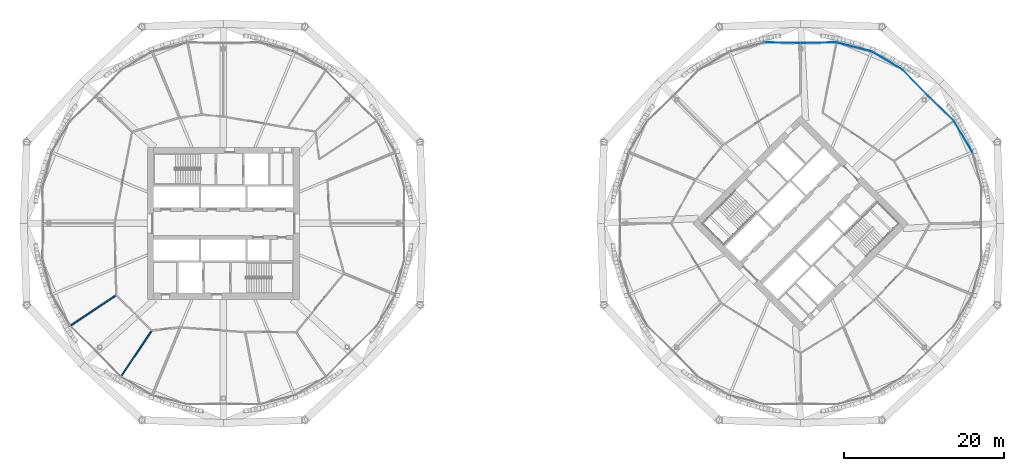
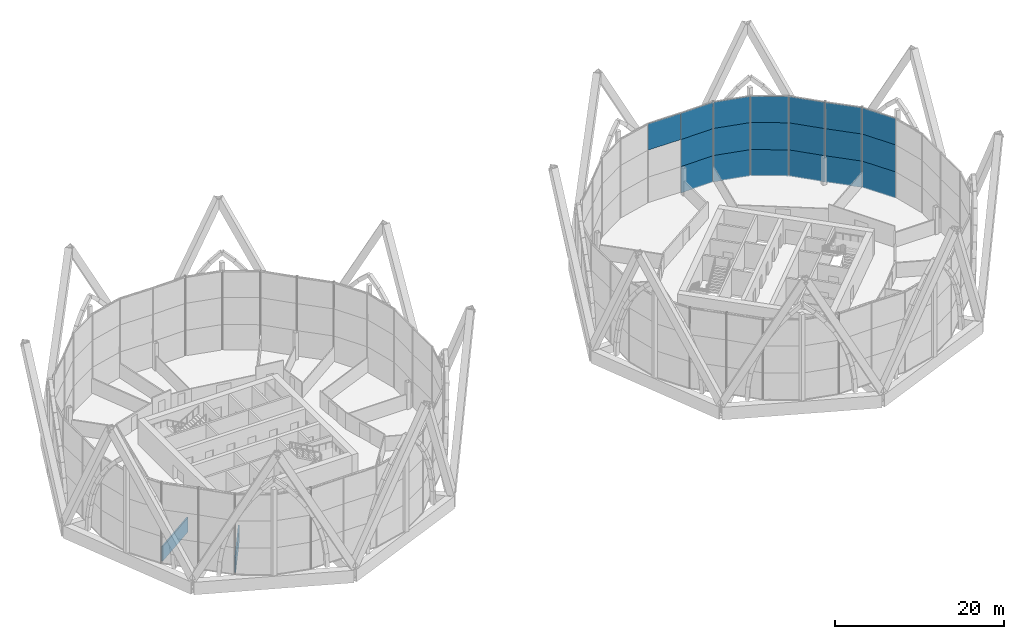
# One storey, part 27 of 37: 19 plates, 2 walls, 3 elements without a shape of their own.
"""IFC4 building model written with IfcOpenShell, lengths in metres."""

from ifc_helpers import new_model, si_unit, direction, frame, frame_2d, origin, origin_2d, place, context, subcontext, project, spatial, rectangle, extrude, material, layer, layer_set, type_object, element, aggregate, save


model = new_model("IFC4")

# Units and contexts
model_context = context("Model", 3, precision=1e-05, world=origin(), true_north=direction((0.0, 1.0)))
body_context = subcontext(model_context, "Body", "Model", "MODEL_VIEW")
ifc_project = project(units=[si_unit("LENGTHUNIT", "METRE"), si_unit("AREAUNIT", "SQUARE_METRE"), si_unit("VOLUMEUNIT", "CUBIC_METRE"), si_unit("PLANEANGLEUNIT", "RADIAN"), si_unit("MASSUNIT", "GRAM", prefix="KILO")], contexts=[model_context])

# Site, building, storey
site_placement = place(None, origin())
site = spatial("IfcSite", under=ifc_project, at=site_placement, CompositionType="ELEMENT")
building_placement = place(site_placement, origin())
building = spatial("IfcBuilding", under=site, at=building_placement, Name="Ogive Gate Towers", CompositionType="ELEMENT")
storey_placement = place(building_placement, frame((0.0, 0.0, 32.39990234375)))
storey = spatial("IfcBuildingStorey", under=building, at=storey_placement, Name="L06", CompositionType="ELEMENT", Elevation=32.39990234375)

# Curtain wall, plates
ifc_material_1 = material(Name="Pale metal aluminium", Category="aluminium")
curtain_wall_type = type_object("IfcCurtainWallType", Name="Tower unitised wall, low zone", PredefinedType="NOTDEFINED", material=ifc_material_1)
curtain_wall_1_placement = place(storey_placement, origin())
curtain_wall_1 = element("IfcCurtainWall", 1, at=curtain_wall_1_placement, inside=storey, type_object=curtain_wall_type, Name="CW1 T2 ECW01", PredefinedType="NOTDEFINED")
ifc_material_2 = material(Name="Clear glass", Category="glass")
ifc_layer_1 = layer(ifc_material_2, 0.028076171875)
ifc_layer_set_1 = layer_set([ifc_layer_1], Name="Tower unitised wall, low zone glass panel")
plate_type = type_object("IfcPlateType", Name="Tower unitised wall, low zone glass panel", PredefinedType="CURTAIN_PANEL", material=ifc_layer_set_1)
plate_1_placement = place(storey_placement, frame((56.2861328125, 10.836669921875, -0.2041015625), z_axis=(0.0, 0.0, 1.0), x_axis=(-0.509822390682, 0.860279681243, 0.0)))
plate_1 = element("IfcPlate", 2, at=plate_1_placement, type_object=plate_type, Name="CW1 glass panel", PredefinedType="CURTAIN_PANEL", context=body_context, shape_type="SweptSolid", body=[
    extrude(rectangle(XDim=4.48095703125, YDim=0.028076171875, at=origin_2d()), origin(), (0.0, 0.0, 1.0), 3.803955078125),
])
plate_2_placement = place(storey_placement, frame((56.2861328125, 10.836669921875, 3.60009765625), z_axis=(0.0, 0.0, 1.0), x_axis=(-0.509822390682, 0.860279681243, 0.0)))
plate_2 = element("IfcPlate", 3, at=plate_2_placement, type_object=plate_type, Name="CW1 glass panel", PredefinedType="CURTAIN_PANEL", context=body_context, shape_type="SweptSolid", body=[
    extrude(rectangle(XDim=4.48095703125, YDim=0.028076171875, at=origin_2d()), origin(), (0.0, 0.0, 1.0), 3.89990234375),
])
plate_3_placement = place(storey_placement, frame((56.2861328125, 10.836669921875, 7.5), z_axis=(0.0, 0.0, 1.0), x_axis=(-0.509822390682, 0.860279681243, 0.0)))
plate_3 = element("IfcPlate", 4, at=plate_3_placement, type_object=plate_type, Name="CW1 glass panel", PredefinedType="CURTAIN_PANEL", context=body_context, shape_type="SweptSolid", body=[
    extrude(rectangle(XDim=4.48095703125, YDim=0.028076171875, at=origin_2d()), origin(), (0.0, 0.0, 1.0), 3.803955078125),
])
plate_4_placement = place(storey_placement, frame((53.521240234375, 14.35498046875, -0.2041015625), z_axis=(0.0, 0.0, 1.0), x_axis=(-0.716496775349, 0.697590403399, 0.0)))
plate_4 = element("IfcPlate", 5, at=plate_4_placement, type_object=plate_type, Name="CW1 glass panel", PredefinedType="CURTAIN_PANEL", context=body_context, shape_type="SweptSolid", body=[
    extrude(rectangle(XDim=4.424072265625, YDim=0.028076171875, at=origin_2d()), origin(), (0.0, 0.0, 1.0), 3.803955078125),
])
plate_5_placement = place(storey_placement, frame((53.521240234375, 14.35498046875, 3.60009765625), z_axis=(0.0, 0.0, 1.0), x_axis=(-0.716496775349, 0.697590403399, 0.0)))
plate_5 = element("IfcPlate", 6, at=plate_5_placement, type_object=plate_type, Name="CW1 glass panel", PredefinedType="CURTAIN_PANEL", context=body_context, shape_type="SweptSolid", body=[
    extrude(rectangle(XDim=4.424072265625, YDim=0.028076171875, at=origin_2d()), origin(), (0.0, 0.0, 1.0), 3.89990234375),
])
plate_6_placement = place(storey_placement, frame((53.521240234375, 14.35498046875, 7.5), z_axis=(0.0, 0.0, 1.0), x_axis=(-0.716496775349, 0.697590403399, 0.0)))
plate_6 = element("IfcPlate", 7, at=plate_6_placement, type_object=plate_type, Name="CW1 glass panel", PredefinedType="CURTAIN_PANEL", context=body_context, shape_type="SweptSolid", body=[
    extrude(rectangle(XDim=4.424072265625, YDim=0.028076171875, at=origin_2d()), origin(), (0.0, 0.0, 1.0), 3.803955078125),
])
aggregate(curtain_wall_1, [plate_1, plate_2, plate_3, plate_4, plate_5, plate_6])

curtain_wall_2_placement = place(storey_placement, origin())
curtain_wall_2 = element("IfcCurtainWall", 8, at=curtain_wall_2_placement, inside=storey, type_object=curtain_wall_type, Name="CW1 T2 ECW02", PredefinedType="NOTDEFINED")
plate_7_placement = place(storey_placement, frame((50.35498046875, 17.521240234375, -0.2041015625), z_axis=(0.0, 0.0, 1.0), x_axis=(-0.697590403399, 0.716496775349, 0.0)))
plate_7 = element("IfcPlate", 9, at=plate_7_placement, type_object=plate_type, Name="CW1 glass panel", PredefinedType="CURTAIN_PANEL", context=body_context, shape_type="SweptSolid", body=[
    extrude(rectangle(XDim=4.424072265625, YDim=0.028076171875, at=origin_2d()), origin(), (0.0, 0.0, 1.0), 3.803955078125),
])
plate_8_placement = place(storey_placement, frame((50.35498046875, 17.521240234375, 3.60009765625), z_axis=(0.0, 0.0, 1.0), x_axis=(-0.697590403399, 0.716496775349, 0.0)))
plate_8 = element("IfcPlate", 10, at=plate_8_placement, type_object=plate_type, Name="CW1 glass panel", PredefinedType="CURTAIN_PANEL", context=body_context, shape_type="SweptSolid", body=[
    extrude(rectangle(XDim=4.424072265625, YDim=0.028076171875, at=origin_2d()), origin(), (0.0, 0.0, 1.0), 3.89990234375),
])
plate_9_placement = place(storey_placement, frame((50.35498046875, 17.521240234375, 7.5), z_axis=(0.0, 0.0, 1.0), x_axis=(-0.697590403399, 0.716496775349, 0.0)))
plate_9 = element("IfcPlate", 11, at=plate_9_placement, type_object=plate_type, Name="CW1 glass panel", PredefinedType="CURTAIN_PANEL", context=body_context, shape_type="SweptSolid", body=[
    extrude(rectangle(XDim=4.424072265625, YDim=0.028076171875, at=origin_2d()), origin(), (0.0, 0.0, 1.0), 3.803955078125),
])
plate_10_placement = place(storey_placement, frame((46.836669921875, 20.2861328125, -0.2041015625), z_axis=(0.0, 0.0, 1.0), x_axis=(-0.860279681243, 0.509822390682, 0.0)))
plate_10 = element("IfcPlate", 12, at=plate_10_placement, type_object=plate_type, Name="CW1 glass panel", PredefinedType="CURTAIN_PANEL", context=body_context, shape_type="SweptSolid", body=[
    extrude(rectangle(XDim=4.48095703125, YDim=0.028076171875, at=origin_2d()), origin(), (0.0, 0.0, 1.0), 3.803955078125),
])
plate_11_placement = place(storey_placement, frame((46.836669921875, 20.2861328125, 3.60009765625), z_axis=(0.0, 0.0, 1.0), x_axis=(-0.860279681243, 0.509822390682, 0.0)))
plate_11 = element("IfcPlate", 13, at=plate_11_placement, type_object=plate_type, Name="CW1 glass panel", PredefinedType="CURTAIN_PANEL", context=body_context, shape_type="SweptSolid", body=[
    extrude(rectangle(XDim=4.48095703125, YDim=0.028076171875, at=origin_2d()), origin(), (0.0, 0.0, 1.0), 3.89990234375),
])
plate_12_placement = place(storey_placement, frame((46.836669921875, 20.2861328125, 7.5), z_axis=(0.0, 0.0, 1.0), x_axis=(-0.860279681243, 0.509822390682, 0.0)))
plate_12 = element("IfcPlate", 14, at=plate_12_placement, type_object=plate_type, Name="CW1 glass panel", PredefinedType="CURTAIN_PANEL", context=body_context, shape_type="SweptSolid", body=[
    extrude(rectangle(XDim=4.48095703125, YDim=0.028076171875, at=origin_2d()), origin(), (0.0, 0.0, 1.0), 3.803955078125),
])
plate_13_placement = place(storey_placement, frame((42.681884765625, 22.007080078125, -0.2041015625), z_axis=(0.0, 0.0, 1.0), x_axis=(-0.968804140715, 0.247827635532, 0.0)))
plate_13 = element("IfcPlate", 15, at=plate_13_placement, type_object=plate_type, Name="CW1 glass panel", PredefinedType="CURTAIN_PANEL", context=body_context, shape_type="SweptSolid", body=[
    extrude(rectangle(XDim=4.48095703125, YDim=0.028076171875, at=origin_2d()), origin(), (0.0, 0.0, 1.0), 3.803955078125),
])
plate_14_placement = place(storey_placement, frame((42.681884765625, 22.007080078125, 3.60009765625), z_axis=(0.0, 0.0, 1.0), x_axis=(-0.968804140715, 0.247827635532, 0.0)))
plate_14 = element("IfcPlate", 16, at=plate_14_placement, type_object=plate_type, Name="CW1 glass panel", PredefinedType="CURTAIN_PANEL", context=body_context, shape_type="SweptSolid", body=[
    extrude(rectangle(XDim=4.48095703125, YDim=0.028076171875, at=origin_2d()), origin(), (0.0, 0.0, 1.0), 3.89990234375),
])
plate_15_placement = place(storey_placement, frame((42.681884765625, 22.007080078125, 7.5), z_axis=(0.0, 0.0, 1.0), x_axis=(-0.968804140715, 0.247827635532, 0.0)))
plate_15 = element("IfcPlate", 17, at=plate_15_placement, type_object=plate_type, Name="CW1 glass panel", PredefinedType="CURTAIN_PANEL", context=body_context, shape_type="SweptSolid", body=[
    extrude(rectangle(XDim=4.48095703125, YDim=0.028076171875, at=origin_2d()), origin(), (0.0, 0.0, 1.0), 3.803955078125),
])
plate_16_placement = place(storey_placement, frame((38.23876953125, 22.5400390625, -0.2041015625), z_axis=(0.0, 0.0, 1.0), x_axis=(-0.999910399799, -0.013386275544, 0.0)))
plate_16 = element("IfcPlate", 18, at=plate_16_placement, type_object=plate_type, Name="CW1 glass panel", PredefinedType="CURTAIN_PANEL", context=body_context, shape_type="SweptSolid", body=[
    extrude(rectangle(XDim=4.423828125, YDim=0.028076171875, at=origin_2d()), origin(), (0.0, 0.0, 1.0), 3.803955078125),
])
plate_17_placement = place(storey_placement, frame((38.23876953125, 22.5400390625, 3.60009765625), z_axis=(0.0, 0.0, 1.0), x_axis=(-0.999910399799, -0.013386275544, 0.0)))
plate_17 = element("IfcPlate", 19, at=plate_17_placement, type_object=plate_type, Name="CW1 glass panel", PredefinedType="CURTAIN_PANEL", context=body_context, shape_type="SweptSolid", body=[
    extrude(rectangle(XDim=4.423828125, YDim=0.028076171875, at=origin_2d()), origin(), (0.0, 0.0, 1.0), 3.89990234375),
])
plate_18_placement = place(storey_placement, frame((38.23876953125, 22.5400390625, 7.5), z_axis=(0.0, 0.0, 1.0), x_axis=(-0.999910399799, -0.013386275544, 0.0)))
plate_18 = element("IfcPlate", 20, at=plate_18_placement, type_object=plate_type, Name="CW1 glass panel", PredefinedType="CURTAIN_PANEL", context=body_context, shape_type="SweptSolid", body=[
    extrude(rectangle(XDim=4.423828125, YDim=0.028076171875, at=origin_2d()), origin(), (0.0, 0.0, 1.0), 3.803955078125),
])
aggregate(curtain_wall_2, [plate_7, plate_8, plate_9, plate_10, plate_11, plate_12, plate_13, plate_14, plate_15, plate_16, plate_17, plate_18])

# Curtain wall, plate
curtain_wall_3_placement = place(storey_placement, origin())
curtain_wall_3 = element("IfcCurtainWall", 21, at=curtain_wall_3_placement, inside=storey, type_object=curtain_wall_type, Name="CW1 T2 ECW03", PredefinedType="NOTDEFINED")
plate_19_placement = place(storey_placement, frame((33.76123046875, 22.5400390625, 7.5), z_axis=(0.0, 0.0, 1.0), x_axis=(-0.999910399799, 0.013386275544, 0.0)))
plate_19 = element("IfcPlate", 22, at=plate_19_placement, type_object=plate_type, Name="CW1 glass panel", PredefinedType="CURTAIN_PANEL", context=body_context, shape_type="SweptSolid", body=[
    extrude(rectangle(XDim=4.423828125, YDim=0.028076171875, at=origin_2d()), origin(), (0.0, 0.0, 1.0), 3.803955078125),
])
aggregate(curtain_wall_3, [plate_19])

# Walls
ifc_material_3 = material(Name="Gypsum board acoustic partition")
ifc_layer_2 = layer(ifc_material_3, 0.175048828125)
ifc_layer_set_2 = layer_set([ifc_layer_2], Name="Acoustic partition 175")
wall_type = type_object("IfcWallType", Name="Acoustic partition 175", PredefinedType="PARTITIONING", material=ifc_layer_set_2)
for number, where, z_axis, x_axis, name in (
    (23, (-55.044189453125, -12.734375, 0.0), (0.0, 0.0, 1.0), (0.831275043359, 0.555861315697, 0.0), "Partition T1-L06-011"),
    (24, (-48.734375, -19.044189453125, 0.0), (0.0, 0.0, 1.0), (0.555861315697, 0.831275043359, 0.0), "Partition T1-L06-012"),
):
    element("IfcWall", number, at=place(storey_placement, frame(where, z_axis=z_axis, x_axis=x_axis)), inside=storey, type_object=wall_type, Name=name, PredefinedType="PARTITIONING", context=body_context, shape_type="SweptSolid", body=[
        extrude(rectangle(XDim=6.741455078125, YDim=0.175048828125, at=frame_2d((3.37060546875, 0.0))), origin(), (0.0, 0.0, 1.0), 2.10009765625),
    ])

save(model, "model.ifc")
